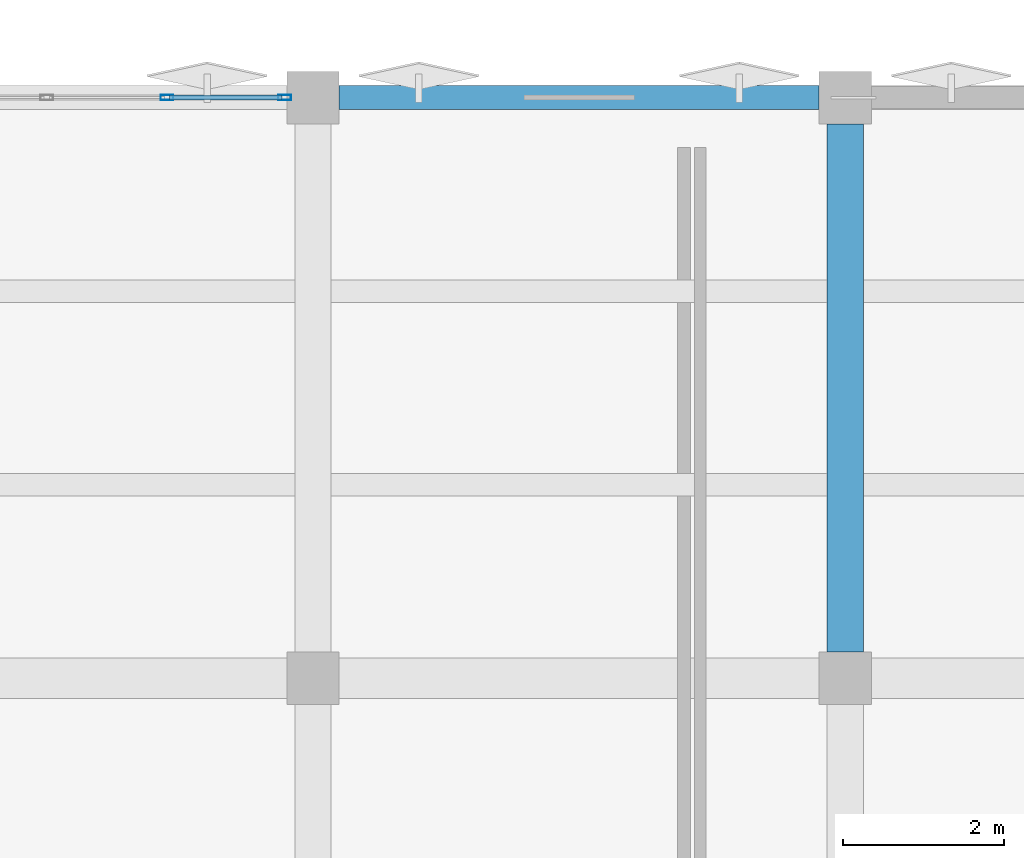
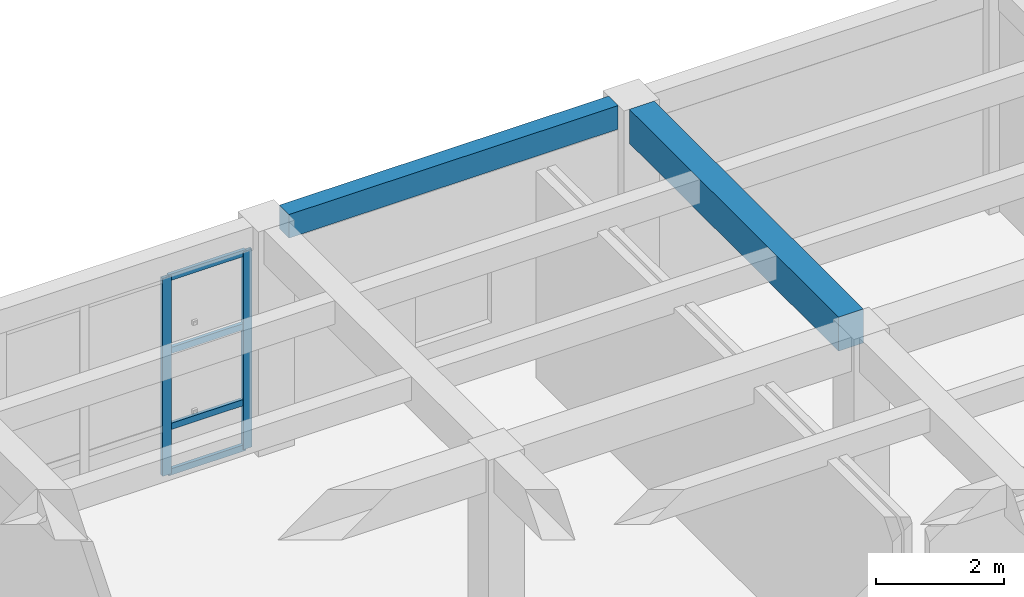
# One storey, part 40 of 67: 6 members, 2 beams, 1 element without a shape of its own.
"""IFC4 building model written with IfcOpenShell, lengths in metres."""

from ifc_helpers import new_model, si_unit, direction, frame, origin, origin_2d, place, context, subcontext, project, spatial, rectangle, hollow_rectangle, extrude, material, layer, layer_set, material_profile, profile_set, type_object, element, aggregate, save


model = new_model("IFC4")

# Units and contexts
model_context = context("Model", 3, precision=1e-05, world=origin(), true_north=direction((0.0, 1.0)))
body_context = subcontext(model_context, "Body", "Model", "MODEL_VIEW")
ifc_project = project(units=[si_unit("LENGTHUNIT", "METRE"), si_unit("AREAUNIT", "SQUARE_METRE"), si_unit("VOLUMEUNIT", "CUBIC_METRE"), si_unit("PLANEANGLEUNIT", "RADIAN"), si_unit("MASSUNIT", "GRAM", prefix="KILO")], contexts=[model_context])

# Site, building, storey
site_placement = place(None, origin())
site = spatial("IfcSite", under=ifc_project, at=site_placement, CompositionType="ELEMENT")
building_placement = place(site_placement, origin())
building = spatial("IfcBuilding", under=site, at=building_placement, Name="Kharisveld Research Institute", CompositionType="ELEMENT")
storey_placement = place(building_placement, frame((0.0, 0.0, 9.60009765625)))
storey = spatial("IfcBuildingStorey", under=building, at=storey_placement, Name="L02", CompositionType="ELEMENT", Elevation=9.60009765625)

# Beam
ifc_material_1 = material(Name="Concrete C40/50", Category="concrete")
ifc_material_profile_1 = material_profile(ifc_material_1, rectangle(XDim=0.449951171875, YDim=0.64990234375, at=origin_2d()))
ifc_profile_set_1 = profile_set([ifc_material_profile_1], Name="Concrete C40/50")
beam_type_1 = type_object("IfcBeamType", Name="BM_RC_450x650", PredefinedType="BEAM", material=ifc_profile_set_1)
beam_1_placement = place(storey_placement, frame((154.199951171875, 53.925048828125, 3.974853515625), z_axis=(0.0, 1.0, 0.0), x_axis=(-1.0, 0.0, 0.0)))
element("IfcBeam", 1, at=beam_1_placement, inside=storey, type_object=beam_type_1, Name="BM:V2:L02:V6_2", PredefinedType="BEAM", context=body_context, shape_type="SweptSolid", body=[
    extrude(rectangle(XDim=0.449951171875, YDim=0.64990234375, at=origin_2d()), origin(), (0.0, 0.0, 1.0), 6.550048828125),
])

# Curtain wall, members
ifc_material_2 = material(Name="Thermally Broken Aluminium Curtain Wall", Category="aluminium")
ifc_layer = layer(ifc_material_2, 0.159912109375)
ifc_layer_set = layer_set([ifc_layer], Name="CW_SYS_03")
curtain_wall_type = type_object("IfcCurtainWallType", Name="CW_SYS_03", PredefinedType="NOTDEFINED", material=ifc_layer_set)
curtain_wall_placement = place(storey_placement, origin())
curtain_wall = element("IfcCurtainWall", 2, at=curtain_wall_placement, inside=storey, type_object=curtain_wall_type, Name="CW:V2:L02:N4", PredefinedType="NOTDEFINED")
ifc_material_3 = material(Name="Anodised Aluminium AW-6063-T6", Category="aluminium")
ifc_material_profile_2 = material_profile(ifc_material_3, hollow_rectangle(XDim=0.06494140625, YDim=0.159912109375, WallThickness=0.00390625, at=origin_2d()))
ifc_profile_set_2 = profile_set([ifc_material_profile_2], Name="Anodised Aluminium AW-6063-T6")
member_type_1 = type_object("IfcMemberType", Name="CW_MUL_160", PredefinedType="MULLION", material=ifc_profile_set_2)
member_1_placement = place(storey_placement, frame((145.7900390625, 60.800048828125, 0.0), z_axis=(0.0, 0.0, 1.0), x_axis=(0.0, 1.0, 0.0)))
member_1 = element("IfcMember", 3, at=member_1_placement, type_object=member_type_1, Name="CW-03 mullion 4", PredefinedType="MULLION", context=body_context, shape_type="SweptSolid", body=[
    extrude(hollow_rectangle(XDim=0.06494140625, YDim=0.159912109375, WallThickness=0.00390625, at=origin_2d()), origin(), (0.0, 0.0, 1.0), 3.77978515625),
])
member_2_placement = place(storey_placement, frame((147.24755859375, 60.800048828125, 0.0), z_axis=(0.0, 0.0, 1.0), x_axis=(0.0, 1.0, 0.0)))
member_2 = element("IfcMember", 4, at=member_2_placement, type_object=member_type_1, Name="CW-03 mullion 5", PredefinedType="MULLION", context=body_context, shape_type="SweptSolid", body=[
    extrude(hollow_rectangle(XDim=0.06494140625, YDim=0.159912109375, WallThickness=0.00390625, at=origin_2d()), origin(), (0.0, 0.0, 1.0), 3.77978515625),
])
ifc_material_4 = material(Name="Anodised Aluminium AW-6063-T6", Category="aluminium")
ifc_material_profile_3 = material_profile(ifc_material_4, hollow_rectangle(XDim=0.06005859375, YDim=0.1201171875, WallThickness=0.00390625, at=origin_2d()))
ifc_profile_set_3 = profile_set([ifc_material_profile_3], Name="Anodised Aluminium AW-6063-T6")
member_type_2 = type_object("IfcMemberType", Name="CW_TRN_120", PredefinedType="USERDEFINED", material=ifc_profile_set_3)
member_3_placement = place(storey_placement, frame((145.822509765625, 60.800048828125, 0.02978515625), z_axis=(1.0, 0.0, 0.0), x_axis=(0.0, 1.0, 0.0)))
member_3 = element("IfcMember", 5, at=member_3_placement, type_object=member_type_2, Name="CW-03 transom 4.1", ObjectType="TRANSOM", PredefinedType="USERDEFINED", context=body_context, shape_type="SweptSolid", body=[
    extrude(hollow_rectangle(XDim=0.06005859375, YDim=0.1201171875, WallThickness=0.00390625, at=origin_2d()), origin(), (0.0, 0.0, 1.0), 1.392578125),
])
member_4_placement = place(storey_placement, frame((145.822509765625, 60.800048828125, 0.89990234375), z_axis=(1.0, 0.0, 0.0), x_axis=(0.0, 1.0, 0.0)))
member_4 = element("IfcMember", 6, at=member_4_placement, type_object=member_type_2, Name="CW-03 transom 4.2", ObjectType="TRANSOM", PredefinedType="USERDEFINED", context=body_context, shape_type="SweptSolid", body=[
    extrude(hollow_rectangle(XDim=0.06005859375, YDim=0.1201171875, WallThickness=0.00390625, at=origin_2d()), origin(), (0.0, 0.0, 1.0), 1.392578125),
])
member_5_placement = place(storey_placement, frame((145.822509765625, 60.800048828125, 2.349853515625), z_axis=(1.0, 0.0, 0.0), x_axis=(0.0, 1.0, 0.0)))
member_5 = element("IfcMember", 7, at=member_5_placement, type_object=member_type_2, Name="CW-03 transom 4.3", ObjectType="TRANSOM", PredefinedType="USERDEFINED", context=body_context, shape_type="SweptSolid", body=[
    extrude(hollow_rectangle(XDim=0.06005859375, YDim=0.1201171875, WallThickness=0.00390625, at=origin_2d()), origin(), (0.0, 0.0, 1.0), 1.392578125),
])
member_6_placement = place(storey_placement, frame((145.822509765625, 60.800048828125, 3.75), z_axis=(1.0, 0.0, 0.0), x_axis=(0.0, 1.0, 0.0)))
member_6 = element("IfcMember", 8, at=member_6_placement, type_object=member_type_2, Name="CW-03 transom 4.4", ObjectType="TRANSOM", PredefinedType="USERDEFINED", context=body_context, shape_type="SweptSolid", body=[
    extrude(hollow_rectangle(XDim=0.06005859375, YDim=0.1201171875, WallThickness=0.00390625, at=origin_2d()), origin(), (0.0, 0.0, 1.0), 1.392578125),
])
aggregate(curtain_wall, [member_1, member_2, member_3, member_4, member_5, member_6])

# Beam
ifc_material_5 = material(Name="Concrete C40/50", Category="concrete")
ifc_material_profile_4 = material_profile(ifc_material_5, rectangle(XDim=0.300048828125, YDim=0.449951171875, at=origin_2d()))
ifc_profile_set_4 = profile_set([ifc_material_profile_4], Name="Concrete C40/50")
beam_type_2 = type_object("IfcBeamType", Name="SP_RC_300x450", PredefinedType="SPANDREL", material=ifc_profile_set_4)
beam_2_placement = place(storey_placement, frame((147.925048828125, 60.800048828125, 4.074951171875), z_axis=(1.0, 0.0, 0.0), x_axis=(0.0, 1.0, 0.0)))
element("IfcBeam", 9, at=beam_2_placement, inside=storey, type_object=beam_type_2, Name="BM:V2:L02:U5_3", PredefinedType="SPANDREL", context=body_context, shape_type="SweptSolid", body=[
    extrude(rectangle(XDim=0.300048828125, YDim=0.449951171875, at=origin_2d()), origin(), (0.0, 0.0, 1.0), 5.949951171875),
])

save(model, "model.ifc")
